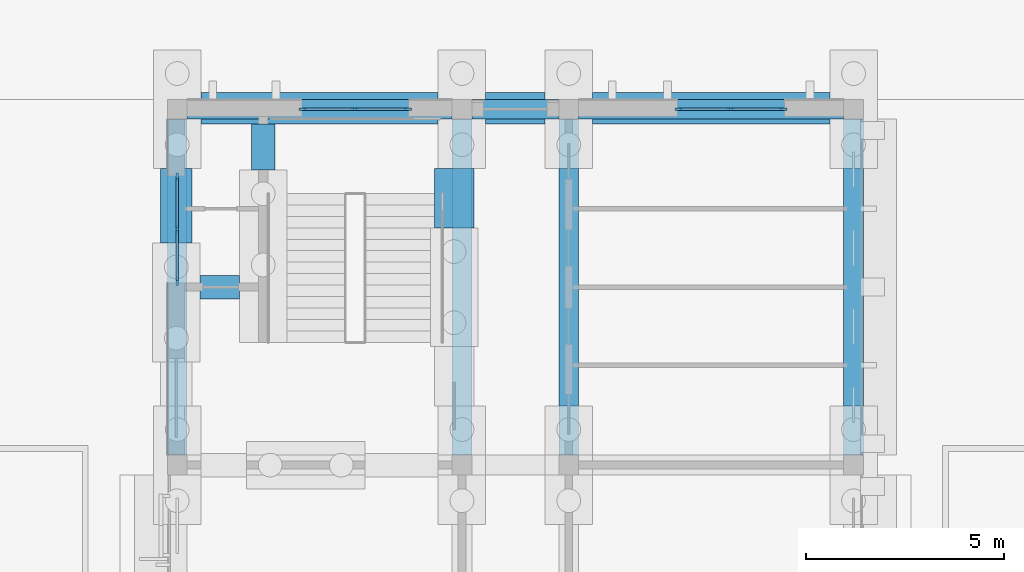
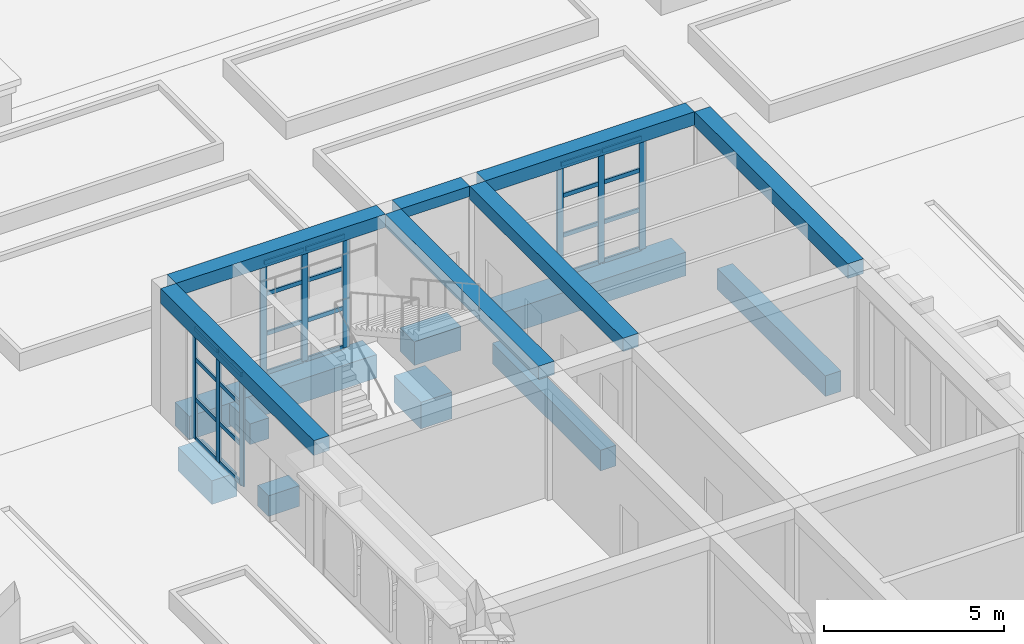
# One storey, part 30 of 161: 33 members, 16 beams, 3 elements without a shape of their own.
"""IFC4 building model written with IfcOpenShell, lengths in metres."""

from ifc_helpers import new_model, si_unit, direction, frame, origin, origin_2d, place, context, subcontext, project, spatial, rectangle, extrude, material, layer, layer_set, material_profile, profile_set, type_object, element, aggregate, save


model = new_model("IFC4")

# Units and contexts
model_context = context("Model", 3, precision=1e-05, world=origin(), true_north=direction((0.0, 1.0)))
body_context = subcontext(model_context, "Body", "Model", "MODEL_VIEW")
ifc_project = project(units=[si_unit("LENGTHUNIT", "METRE"), si_unit("AREAUNIT", "SQUARE_METRE"), si_unit("VOLUMEUNIT", "CUBIC_METRE"), si_unit("PLANEANGLEUNIT", "RADIAN"), si_unit("MASSUNIT", "GRAM", prefix="KILO")], contexts=[model_context])

# Site, building, storey
site_placement = place(None, origin())
site = spatial("IfcSite", under=ifc_project, at=site_placement, CompositionType="ELEMENT")
building_placement = place(site_placement, origin())
building = spatial("IfcBuilding", under=site, at=building_placement, Name="Elbe Cascade School", CompositionType="ELEMENT")
storey_placement = place(building_placement, origin())
storey = spatial("IfcBuildingStorey", under=building, at=storey_placement, Name="L00", CompositionType="ELEMENT", Elevation=0.0)

# Curtain wall, members
ifc_material_1 = material(Name="Aluminium frame with double glazing, bronze anodised", Category="aluminium")
ifc_layer = layer(ifc_material_1, 0.199951171875)
ifc_layer_set = layer_set([ifc_layer], Name="Aluminium frame with double glazing, bronze anodised")
curtain_wall_type = type_object("IfcCurtainWallType", Name="Bars envelope Curtain wall, aluminium, bronze anodised, ground floor tall run", PredefinedType="NOTDEFINED", material=ifc_layer_set)
curtain_wall_1_placement = place(storey_placement, origin())
curtain_wall_1 = element("IfcCurtainWall", 1, at=curtain_wall_1_placement, inside=storey, type_object=curtain_wall_type, Name="Curtain wall CW3 B.L00.w6", PredefinedType="NOTDEFINED")
ifc_material_2 = material(Name="Aluminium mullion, bronze anodised", Category="aluminium")
ifc_material_profile_1 = material_profile(ifc_material_2, rectangle(XDim=0.06005859375, YDim=0.199951171875, at=origin_2d()), Name="Bars envelope Curtain wall mullion 60 x 200, aluminium, ground floor tall run")
ifc_profile_set_1 = profile_set([ifc_material_profile_1], Name="Aluminium mullion, bronze anodised")
member_type_1 = type_object("IfcMemberType", Name="Bars envelope Curtain wall mullion 60 x 200, aluminium, ground floor tall run", PredefinedType="MULLION", material=ifc_profile_set_1)
member_1_placement = place(storey_placement, frame((98.60009765625, 55.639892578125, 0.0), z_axis=(0.0, 0.0, 1.0), x_axis=(-1.0, 0.0, 0.0)))
member_1 = element("IfcMember", 2, at=member_1_placement, type_object=member_type_1, Name="CW3 mullion 1", PredefinedType="MULLION", context=body_context, shape_type="SweptSolid", body=[
    extrude(rectangle(XDim=0.06005859375, YDim=0.199951171875, at=origin_2d()), origin(), (0.0, 0.0, 1.0), 3.75),
])
member_2_placement = place(storey_placement, frame((98.60009765625, 56.9599609375, 0.0), z_axis=(0.0, 0.0, 1.0), x_axis=(-1.0, 0.0, 0.0)))
member_2 = element("IfcMember", 3, at=member_2_placement, type_object=member_type_1, Name="CW3 mullion 2", PredefinedType="MULLION", context=body_context, shape_type="SweptSolid", body=[
    extrude(rectangle(XDim=0.06005859375, YDim=0.199951171875, at=origin_2d()), origin(), (0.0, 0.0, 1.0), 3.75),
])
member_3_placement = place(storey_placement, frame((98.60009765625, 58.280029296875, 0.0), z_axis=(0.0, 0.0, 1.0), x_axis=(-1.0, 0.0, 0.0)))
member_3 = element("IfcMember", 4, at=member_3_placement, type_object=member_type_1, Name="CW3 mullion 3", PredefinedType="MULLION", context=body_context, shape_type="SweptSolid", body=[
    extrude(rectangle(XDim=0.06005859375, YDim=0.199951171875, at=origin_2d()), origin(), (0.0, 0.0, 1.0), 3.75),
])

curtain_wall_2_placement = place(storey_placement, origin())
curtain_wall_2 = element("IfcCurtainWall", 5, at=curtain_wall_2_placement, inside=storey, type_object=curtain_wall_type, Name="Curtain wall CW3 B.L00.n1", PredefinedType="NOTDEFINED")
member_4_placement = place(storey_placement, frame((101.780029296875, 60.0, 0.0), z_axis=(0.0, 0.0, 1.0), x_axis=(0.0, 1.0, 0.0)))
member_4 = element("IfcMember", 6, at=member_4_placement, type_object=member_type_1, Name="CW3 mullion 1", PredefinedType="MULLION", context=body_context, shape_type="SweptSolid", body=[
    extrude(rectangle(XDim=0.06005859375, YDim=0.199951171875, at=origin_2d()), origin(), (0.0, 0.0, 1.0), 3.800048828125),
])
member_5_placement = place(storey_placement, frame((103.10009765625, 60.0, 0.0), z_axis=(0.0, 0.0, 1.0), x_axis=(0.0, 1.0, 0.0)))
member_5 = element("IfcMember", 7, at=member_5_placement, type_object=member_type_1, Name="CW3 mullion 2", PredefinedType="MULLION", context=body_context, shape_type="SweptSolid", body=[
    extrude(rectangle(XDim=0.06005859375, YDim=0.199951171875, at=origin_2d()), origin(), (0.0, 0.0, 1.0), 3.800048828125),
])
member_6_placement = place(storey_placement, frame((104.419921875, 60.0, 0.0), z_axis=(0.0, 0.0, 1.0), x_axis=(0.0, 1.0, 0.0)))
member_6 = element("IfcMember", 8, at=member_6_placement, type_object=member_type_1, Name="CW3 mullion 3", PredefinedType="MULLION", context=body_context, shape_type="SweptSolid", body=[
    extrude(rectangle(XDim=0.06005859375, YDim=0.199951171875, at=origin_2d()), origin(), (0.0, 0.0, 1.0), 3.800048828125),
])

curtain_wall_3_placement = place(storey_placement, origin())
curtain_wall_3 = element("IfcCurtainWall", 9, at=curtain_wall_3_placement, inside=storey, type_object=curtain_wall_type, Name="Curtain wall CW3 B.L00.n3", PredefinedType="NOTDEFINED")
member_7_placement = place(storey_placement, frame((111.280029296875, 60.0, 0.0), z_axis=(0.0, 0.0, 1.0), x_axis=(0.0, 1.0, 0.0)))
member_7 = element("IfcMember", 10, at=member_7_placement, type_object=member_type_1, Name="CW3 mullion 1", PredefinedType="MULLION", context=body_context, shape_type="SweptSolid", body=[
    extrude(rectangle(XDim=0.06005859375, YDim=0.199951171875, at=origin_2d()), origin(), (0.0, 0.0, 1.0), 3.800048828125),
])
member_8_placement = place(storey_placement, frame((112.60009765625, 60.0, 0.0), z_axis=(0.0, 0.0, 1.0), x_axis=(0.0, 1.0, 0.0)))
member_8 = element("IfcMember", 11, at=member_8_placement, type_object=member_type_1, Name="CW3 mullion 2", PredefinedType="MULLION", context=body_context, shape_type="SweptSolid", body=[
    extrude(rectangle(XDim=0.06005859375, YDim=0.199951171875, at=origin_2d()), origin(), (0.0, 0.0, 1.0), 3.800048828125),
])
member_9_placement = place(storey_placement, frame((113.919921875, 60.0, 0.0), z_axis=(0.0, 0.0, 1.0), x_axis=(0.0, 1.0, 0.0)))
member_9 = element("IfcMember", 12, at=member_9_placement, type_object=member_type_1, Name="CW3 mullion 3", PredefinedType="MULLION", context=body_context, shape_type="SweptSolid", body=[
    extrude(rectangle(XDim=0.06005859375, YDim=0.199951171875, at=origin_2d()), origin(), (0.0, 0.0, 1.0), 3.800048828125),
])

# Member
ifc_material_3 = material(Name="Aluminium transom, bronze anodised", Category="aluminium")
ifc_material_profile_2 = material_profile(ifc_material_3, rectangle(XDim=0.06005859375, YDim=0.139892578125, at=origin_2d()), Name="Bars envelope Curtain wall transom 60 x 140, aluminium, ground floor tall run")
ifc_profile_set_2 = profile_set([ifc_material_profile_2], Name="Aluminium transom, bronze anodised")
member_type_2 = type_object("IfcMemberType", Name="Bars envelope Curtain wall transom 60 x 140, aluminium, ground floor tall run", PredefinedType="USERDEFINED", material=ifc_profile_set_2)
member_10_placement = place(storey_placement, frame((98.60009765625, 55.669921875, 0.030029296875), z_axis=(0.0, 1.0, 0.0), x_axis=(-1.0, 0.0, 0.0)))
member_10 = element("IfcMember", 13, at=member_10_placement, type_object=member_type_2, Name="CW3 transom 1.1", ObjectType="TRANSOM", PredefinedType="USERDEFINED", context=body_context, shape_type="SweptSolid", body=[
    extrude(rectangle(XDim=0.06005859375, YDim=0.139892578125, at=origin_2d()), origin(), (0.0, 0.0, 1.0), 1.260009765625),
])

member_11_placement = place(storey_placement, frame((98.60009765625, 55.669921875, 1.35009765625), z_axis=(0.0, 1.0, 0.0), x_axis=(-1.0, 0.0, 0.0)))
member_11 = element("IfcMember", 14, at=member_11_placement, type_object=member_type_2, Name="CW3 transom 1.2", ObjectType="TRANSOM", PredefinedType="USERDEFINED", context=body_context, shape_type="SweptSolid", body=[
    extrude(rectangle(XDim=0.06005859375, YDim=0.139892578125, at=origin_2d()), origin(), (0.0, 0.0, 1.0), 1.260009765625),
])

member_12_placement = place(storey_placement, frame((98.60009765625, 55.669921875, 2.699951171875), z_axis=(0.0, 1.0, 0.0), x_axis=(-1.0, 0.0, 0.0)))
member_12 = element("IfcMember", 15, at=member_12_placement, type_object=member_type_2, Name="CW3 transom 1.3", ObjectType="TRANSOM", PredefinedType="USERDEFINED", context=body_context, shape_type="SweptSolid", body=[
    extrude(rectangle(XDim=0.06005859375, YDim=0.139892578125, at=origin_2d()), origin(), (0.0, 0.0, 1.0), 1.260009765625),
])

member_13_placement = place(storey_placement, frame((98.60009765625, 55.669921875, 3.719970703125), z_axis=(0.0, 1.0, 0.0), x_axis=(-1.0, 0.0, 0.0)))
member_13 = element("IfcMember", 16, at=member_13_placement, type_object=member_type_2, Name="CW3 transom 1.4", ObjectType="TRANSOM", PredefinedType="USERDEFINED", context=body_context, shape_type="SweptSolid", body=[
    extrude(rectangle(XDim=0.06005859375, YDim=0.139892578125, at=origin_2d()), origin(), (0.0, 0.0, 1.0), 1.260009765625),
])

member_14_placement = place(storey_placement, frame((98.60009765625, 56.989990234375, 0.030029296875), z_axis=(0.0, 1.0, 0.0), x_axis=(-1.0, 0.0, 0.0)))
member_14 = element("IfcMember", 17, at=member_14_placement, type_object=member_type_2, Name="CW3 transom 2.1", ObjectType="TRANSOM", PredefinedType="USERDEFINED", context=body_context, shape_type="SweptSolid", body=[
    extrude(rectangle(XDim=0.06005859375, YDim=0.139892578125, at=origin_2d()), origin(), (0.0, 0.0, 1.0), 1.260009765625),
])

member_15_placement = place(storey_placement, frame((98.60009765625, 56.989990234375, 1.35009765625), z_axis=(0.0, 1.0, 0.0), x_axis=(-1.0, 0.0, 0.0)))
member_15 = element("IfcMember", 18, at=member_15_placement, type_object=member_type_2, Name="CW3 transom 2.2", ObjectType="TRANSOM", PredefinedType="USERDEFINED", context=body_context, shape_type="SweptSolid", body=[
    extrude(rectangle(XDim=0.06005859375, YDim=0.139892578125, at=origin_2d()), origin(), (0.0, 0.0, 1.0), 1.260009765625),
])

member_16_placement = place(storey_placement, frame((98.60009765625, 56.989990234375, 2.699951171875), z_axis=(0.0, 1.0, 0.0), x_axis=(-1.0, 0.0, 0.0)))
member_16 = element("IfcMember", 19, at=member_16_placement, type_object=member_type_2, Name="CW3 transom 2.3", ObjectType="TRANSOM", PredefinedType="USERDEFINED", context=body_context, shape_type="SweptSolid", body=[
    extrude(rectangle(XDim=0.06005859375, YDim=0.139892578125, at=origin_2d()), origin(), (0.0, 0.0, 1.0), 1.260009765625),
])

member_17_placement = place(storey_placement, frame((98.60009765625, 56.989990234375, 3.719970703125), z_axis=(0.0, 1.0, 0.0), x_axis=(-1.0, 0.0, 0.0)))
member_17 = element("IfcMember", 20, at=member_17_placement, type_object=member_type_2, Name="CW3 transom 2.4", ObjectType="TRANSOM", PredefinedType="USERDEFINED", context=body_context, shape_type="SweptSolid", body=[
    extrude(rectangle(XDim=0.06005859375, YDim=0.139892578125, at=origin_2d()), origin(), (0.0, 0.0, 1.0), 1.260009765625),
])

aggregate(curtain_wall_1, [member_1, member_2, member_3, member_10, member_11, member_12, member_13, member_14, member_15, member_16, member_17])

member_18_placement = place(storey_placement, frame((101.81005859375, 60.0, 0.030029296875), z_axis=(1.0, 0.0, 0.0), x_axis=(0.0, 1.0, 0.0)))
member_18 = element("IfcMember", 21, at=member_18_placement, type_object=member_type_2, Name="CW3 transom 1.1", ObjectType="TRANSOM", PredefinedType="USERDEFINED", context=body_context, shape_type="SweptSolid", body=[
    extrude(rectangle(XDim=0.06005859375, YDim=0.139892578125, at=origin_2d()), origin(), (0.0, 0.0, 1.0), 1.260009765625),
])

member_19_placement = place(storey_placement, frame((101.81005859375, 60.0, 1.35009765625), z_axis=(1.0, 0.0, 0.0), x_axis=(0.0, 1.0, 0.0)))
member_19 = element("IfcMember", 22, at=member_19_placement, type_object=member_type_2, Name="CW3 transom 1.2", ObjectType="TRANSOM", PredefinedType="USERDEFINED", context=body_context, shape_type="SweptSolid", body=[
    extrude(rectangle(XDim=0.06005859375, YDim=0.139892578125, at=origin_2d()), origin(), (0.0, 0.0, 1.0), 1.260009765625),
])

member_20_placement = place(storey_placement, frame((101.81005859375, 60.0, 2.699951171875), z_axis=(1.0, 0.0, 0.0), x_axis=(0.0, 1.0, 0.0)))
member_20 = element("IfcMember", 23, at=member_20_placement, type_object=member_type_2, Name="CW3 transom 1.3", ObjectType="TRANSOM", PredefinedType="USERDEFINED", context=body_context, shape_type="SweptSolid", body=[
    extrude(rectangle(XDim=0.06005859375, YDim=0.139892578125, at=origin_2d()), origin(), (0.0, 0.0, 1.0), 1.260009765625),
])

member_21_placement = place(storey_placement, frame((101.81005859375, 60.0, 3.77001953125), z_axis=(1.0, 0.0, 0.0), x_axis=(0.0, 1.0, 0.0)))
member_21 = element("IfcMember", 24, at=member_21_placement, type_object=member_type_2, Name="CW3 transom 1.4", ObjectType="TRANSOM", PredefinedType="USERDEFINED", context=body_context, shape_type="SweptSolid", body=[
    extrude(rectangle(XDim=0.06005859375, YDim=0.139892578125, at=origin_2d()), origin(), (0.0, 0.0, 1.0), 1.260009765625),
])

member_22_placement = place(storey_placement, frame((103.1298828125, 60.0, 0.030029296875), z_axis=(1.0, 0.0, 0.0), x_axis=(0.0, 1.0, 0.0)))
member_22 = element("IfcMember", 25, at=member_22_placement, type_object=member_type_2, Name="CW3 transom 2.1", ObjectType="TRANSOM", PredefinedType="USERDEFINED", context=body_context, shape_type="SweptSolid", body=[
    extrude(rectangle(XDim=0.06005859375, YDim=0.139892578125, at=origin_2d()), origin(), (0.0, 0.0, 1.0), 1.260009765625),
])

member_23_placement = place(storey_placement, frame((103.1298828125, 60.0, 1.35009765625), z_axis=(1.0, 0.0, 0.0), x_axis=(0.0, 1.0, 0.0)))
member_23 = element("IfcMember", 26, at=member_23_placement, type_object=member_type_2, Name="CW3 transom 2.2", ObjectType="TRANSOM", PredefinedType="USERDEFINED", context=body_context, shape_type="SweptSolid", body=[
    extrude(rectangle(XDim=0.06005859375, YDim=0.139892578125, at=origin_2d()), origin(), (0.0, 0.0, 1.0), 1.260009765625),
])

member_24_placement = place(storey_placement, frame((103.1298828125, 60.0, 2.699951171875), z_axis=(1.0, 0.0, 0.0), x_axis=(0.0, 1.0, 0.0)))
member_24 = element("IfcMember", 27, at=member_24_placement, type_object=member_type_2, Name="CW3 transom 2.3", ObjectType="TRANSOM", PredefinedType="USERDEFINED", context=body_context, shape_type="SweptSolid", body=[
    extrude(rectangle(XDim=0.06005859375, YDim=0.139892578125, at=origin_2d()), origin(), (0.0, 0.0, 1.0), 1.260009765625),
])

member_25_placement = place(storey_placement, frame((103.1298828125, 60.0, 3.77001953125), z_axis=(1.0, 0.0, 0.0), x_axis=(0.0, 1.0, 0.0)))
member_25 = element("IfcMember", 28, at=member_25_placement, type_object=member_type_2, Name="CW3 transom 2.4", ObjectType="TRANSOM", PredefinedType="USERDEFINED", context=body_context, shape_type="SweptSolid", body=[
    extrude(rectangle(XDim=0.06005859375, YDim=0.139892578125, at=origin_2d()), origin(), (0.0, 0.0, 1.0), 1.260009765625),
])

aggregate(curtain_wall_2, [member_4, member_5, member_6, member_18, member_19, member_20, member_21, member_22, member_23, member_24, member_25])

member_26_placement = place(storey_placement, frame((111.31005859375, 60.0, 0.030029296875), z_axis=(1.0, 0.0, 0.0), x_axis=(0.0, 1.0, 0.0)))
member_26 = element("IfcMember", 29, at=member_26_placement, type_object=member_type_2, Name="CW3 transom 1.1", ObjectType="TRANSOM", PredefinedType="USERDEFINED", context=body_context, shape_type="SweptSolid", body=[
    extrude(rectangle(XDim=0.06005859375, YDim=0.139892578125, at=origin_2d()), origin(), (0.0, 0.0, 1.0), 1.260009765625),
])

member_27_placement = place(storey_placement, frame((111.31005859375, 60.0, 1.35009765625), z_axis=(1.0, 0.0, 0.0), x_axis=(0.0, 1.0, 0.0)))
member_27 = element("IfcMember", 30, at=member_27_placement, type_object=member_type_2, Name="CW3 transom 1.2", ObjectType="TRANSOM", PredefinedType="USERDEFINED", context=body_context, shape_type="SweptSolid", body=[
    extrude(rectangle(XDim=0.06005859375, YDim=0.139892578125, at=origin_2d()), origin(), (0.0, 0.0, 1.0), 1.260009765625),
])

member_28_placement = place(storey_placement, frame((111.31005859375, 60.0, 2.699951171875), z_axis=(1.0, 0.0, 0.0), x_axis=(0.0, 1.0, 0.0)))
member_28 = element("IfcMember", 31, at=member_28_placement, type_object=member_type_2, Name="CW3 transom 1.3", ObjectType="TRANSOM", PredefinedType="USERDEFINED", context=body_context, shape_type="SweptSolid", body=[
    extrude(rectangle(XDim=0.06005859375, YDim=0.139892578125, at=origin_2d()), origin(), (0.0, 0.0, 1.0), 1.260009765625),
])

member_29_placement = place(storey_placement, frame((111.31005859375, 60.0, 3.77001953125), z_axis=(1.0, 0.0, 0.0), x_axis=(0.0, 1.0, 0.0)))
member_29 = element("IfcMember", 32, at=member_29_placement, type_object=member_type_2, Name="CW3 transom 1.4", ObjectType="TRANSOM", PredefinedType="USERDEFINED", context=body_context, shape_type="SweptSolid", body=[
    extrude(rectangle(XDim=0.06005859375, YDim=0.139892578125, at=origin_2d()), origin(), (0.0, 0.0, 1.0), 1.260009765625),
])

member_30_placement = place(storey_placement, frame((112.6298828125, 60.0, 0.030029296875), z_axis=(1.0, 0.0, 0.0), x_axis=(0.0, 1.0, 0.0)))
member_30 = element("IfcMember", 33, at=member_30_placement, type_object=member_type_2, Name="CW3 transom 2.1", ObjectType="TRANSOM", PredefinedType="USERDEFINED", context=body_context, shape_type="SweptSolid", body=[
    extrude(rectangle(XDim=0.06005859375, YDim=0.139892578125, at=origin_2d()), origin(), (0.0, 0.0, 1.0), 1.260009765625),
])

member_31_placement = place(storey_placement, frame((112.6298828125, 60.0, 1.35009765625), z_axis=(1.0, 0.0, 0.0), x_axis=(0.0, 1.0, 0.0)))
member_31 = element("IfcMember", 34, at=member_31_placement, type_object=member_type_2, Name="CW3 transom 2.2", ObjectType="TRANSOM", PredefinedType="USERDEFINED", context=body_context, shape_type="SweptSolid", body=[
    extrude(rectangle(XDim=0.06005859375, YDim=0.139892578125, at=origin_2d()), origin(), (0.0, 0.0, 1.0), 1.260009765625),
])

member_32_placement = place(storey_placement, frame((112.6298828125, 60.0, 2.699951171875), z_axis=(1.0, 0.0, 0.0), x_axis=(0.0, 1.0, 0.0)))
member_32 = element("IfcMember", 35, at=member_32_placement, type_object=member_type_2, Name="CW3 transom 2.3", ObjectType="TRANSOM", PredefinedType="USERDEFINED", context=body_context, shape_type="SweptSolid", body=[
    extrude(rectangle(XDim=0.06005859375, YDim=0.139892578125, at=origin_2d()), origin(), (0.0, 0.0, 1.0), 1.260009765625),
])

member_33_placement = place(storey_placement, frame((112.6298828125, 60.0, 3.77001953125), z_axis=(1.0, 0.0, 0.0), x_axis=(0.0, 1.0, 0.0)))
member_33 = element("IfcMember", 36, at=member_33_placement, type_object=member_type_2, Name="CW3 transom 2.4", ObjectType="TRANSOM", PredefinedType="USERDEFINED", context=body_context, shape_type="SweptSolid", body=[
    extrude(rectangle(XDim=0.06005859375, YDim=0.139892578125, at=origin_2d()), origin(), (0.0, 0.0, 1.0), 1.260009765625),
])

aggregate(curtain_wall_3, [member_7, member_8, member_9, member_26, member_27, member_28, member_29, member_30, member_31, member_32, member_33])

# Beams
ifc_material_4 = material(Name="Concrete C30/37", Category="concrete")
ifc_material_profile_3 = material_profile(ifc_material_4, rectangle(XDim=1.0, YDim=0.89990234375, at=origin_2d()), Name="RC 1000x900")
ifc_profile_set_3 = profile_set([ifc_material_profile_3], Name="Concrete C30/37")
beam_type_1 = type_object("IfcBeamType", Name="Found ground beam RC 1000x900", PredefinedType="BEAM", material=ifc_profile_set_3)
beam_1_placement = place(storey_placement, frame((105.60009765625, 57.0, -0.75), z_axis=(0.0, 1.0, 0.0), x_axis=(-1.0, 0.0, 0.0)))
element("IfcBeam", 37, at=beam_1_placement, inside=storey, type_object=beam_type_1, Name="Ground beam 041", PredefinedType="BEAM", context=body_context, shape_type="SweptSolid", body=[
    extrude(rectangle(XDim=1.0, YDim=0.89990234375, at=origin_2d()), origin(), (0.0, 0.0, 1.0), 1.5),
])
ifc_material_5 = material(Name="Concrete C30/37", Category="concrete")
ifc_material_profile_4 = material_profile(ifc_material_5, rectangle(XDim=0.5, YDim=0.699951171875, at=origin_2d()), Name="RC 500x700")
ifc_profile_set_4 = profile_set([ifc_material_profile_4], Name="Concrete C30/37")
beam_type_2 = type_object("IfcBeamType", Name="Found ground beam RC 500x700", PredefinedType="BEAM", material=ifc_profile_set_4)
for number, where, z_axis, x_axis, name in (
    (38, (108.5, 52.5, -0.64990234375), (0.0, 1.0, 0.0), (-1.0, 0.0, 0.0), "Ground beam 246"),
    (39, (115.699951171875, 52.5, -0.64990234375), (0.0, 1.0, 0.0), (-1.0, 0.0, 0.0), "Ground beam 252"),
):
    element("IfcBeam", number, at=place(storey_placement, frame(where, z_axis=z_axis, x_axis=x_axis)), inside=storey, type_object=beam_type_2, Name=name, PredefinedType="BEAM", context=body_context, shape_type="SweptSolid", body=[
        extrude(rectangle(XDim=0.5, YDim=0.699951171875, at=origin_2d()), origin(), (0.0, 0.0, 1.0), 6.0),
    ])
ifc_material_6 = material(Name="Concrete C30/37", Category="concrete")
ifc_material_profile_5 = material_profile(ifc_material_6, rectangle(XDim=0.60009765625, YDim=0.699951171875, at=origin_2d()), Name="RC 600x700")
ifc_profile_set_5 = profile_set([ifc_material_profile_5], Name="Concrete C30/37")
beam_type_3 = type_object("IfcBeamType", Name="Found ground beam RC 600x700", PredefinedType="BEAM", material=ifc_profile_set_5)
beam_2_placement = place(storey_placement, frame((100.77490234375, 58.4599609375, -0.64990234375), z_axis=(0.0, 1.0, 0.0), x_axis=(-1.0, 0.0, 0.0)))
element("IfcBeam", 40, at=beam_2_placement, inside=storey, type_object=beam_type_3, Name="Ground beam 161", PredefinedType="BEAM", context=body_context, shape_type="SweptSolid", body=[
    extrude(rectangle(XDim=0.60009765625, YDim=0.699951171875, at=origin_2d()), origin(), (0.0, 0.0, 1.0), 1.16015625),
])
beam_3_placement = place(storey_placement, frame((99.179931640625, 55.5, -0.64990234375), z_axis=(1.0, 0.0, 0.0), x_axis=(0.0, 1.0, 0.0)))
element("IfcBeam", 41, at=beam_3_placement, inside=storey, type_object=beam_type_3, Name="Ground beam 175", PredefinedType="BEAM", context=body_context, shape_type="SweptSolid", body=[
    extrude(rectangle(XDim=0.60009765625, YDim=0.699951171875, at=origin_2d()), origin(), (0.0, 0.0, 1.0), 0.9951171875),
])
ifc_material_7 = material(Name="Concrete C30/37", Category="concrete")
ifc_material_profile_6 = material_profile(ifc_material_7, rectangle(XDim=0.800048828125, YDim=0.800048828125, at=origin_2d()), Name="RC 800x800")
ifc_profile_set_6 = profile_set([ifc_material_profile_6], Name="Concrete C30/37")
beam_type_4 = type_object("IfcBeamType", Name="Found ground beam RC 800x800", PredefinedType="BEAM", material=ifc_profile_set_6)
beam_4_placement = place(storey_placement, frame((99.199951171875, 60.02001953125, -0.699951171875), z_axis=(1.0, 0.0, 0.0), x_axis=(0.0, 1.0, 0.0)))
element("IfcBeam", 42, at=beam_4_placement, inside=storey, type_object=beam_type_4, Name="Ground beam 059", PredefinedType="BEAM", context=body_context, shape_type="SweptSolid", body=[
    extrude(rectangle(XDim=0.800048828125, YDim=0.800048828125, at=origin_2d()), origin(), (0.0, 0.0, 1.0), 6.0),
])
beam_5_placement = place(storey_placement, frame((106.39990234375, 60.02001953125, -0.699951171875), z_axis=(1.0, 0.0, 0.0), x_axis=(0.0, 1.0, 0.0)))
element("IfcBeam", 43, at=beam_5_placement, inside=storey, type_object=beam_type_4, Name="Ground beam 060", PredefinedType="BEAM", context=body_context, shape_type="SweptSolid", body=[
    extrude(rectangle(XDim=0.800048828125, YDim=0.800048828125, at=origin_2d()), origin(), (0.0, 0.0, 1.0), 1.5),
])
beam_6_placement = place(storey_placement, frame((109.10009765625, 60.02001953125, -0.699951171875), z_axis=(1.0, 0.0, 0.0), x_axis=(0.0, 1.0, 0.0)))
element("IfcBeam", 44, at=beam_6_placement, inside=storey, type_object=beam_type_4, Name="Ground beam 061", PredefinedType="BEAM", context=body_context, shape_type="SweptSolid", body=[
    extrude(rectangle(XDim=0.800048828125, YDim=0.800048828125, at=origin_2d()), origin(), (0.0, 0.0, 1.0), 6.0),
])
beam_7_placement = place(storey_placement, frame((98.580078125, 56.610107421875, -0.699951171875), z_axis=(0.0, 1.0, 0.0), x_axis=(-1.0, 0.0, 0.0)))
element("IfcBeam", 45, at=beam_7_placement, inside=storey, type_object=beam_type_4, Name="Ground beam 083", PredefinedType="BEAM", context=body_context, shape_type="SweptSolid", body=[
    extrude(rectangle(XDim=0.800048828125, YDim=0.800048828125, at=origin_2d()), origin(), (0.0, 0.0, 1.0), 1.889892578125),
])
ifc_material_8 = material(Name="Concrete C30/37", Category="concrete")
ifc_material_profile_7 = material_profile(ifc_material_8, rectangle(XDim=0.5, YDim=0.35009765625, at=origin_2d()), Name="RC 500x350")
ifc_profile_set_7 = profile_set([ifc_material_profile_7], Name="Concrete C30/37")
beam_type_5 = type_object("IfcBeamType", Name="RC 500x350 beam", PredefinedType="BEAM", material=ifc_profile_set_7)
beam_8_placement = place(storey_placement, frame((106.050048828125, 60.0, 4.074951171875), z_axis=(1.0, 0.0, 0.0), x_axis=(0.0, 1.0, 0.0)))
element("IfcBeam", 46, at=beam_8_placement, inside=storey, type_object=beam_type_5, Name="RC 500x350 beam B8", PredefinedType="BEAM", context=body_context, shape_type="SweptSolid", body=[
    extrude(rectangle(XDim=0.5, YDim=0.35009765625, at=origin_2d()), origin(), (0.0, 0.0, 1.0), 2.199951171875),
])
ifc_material_9 = material(Name="Concrete C30/37", Category="concrete")
ifc_material_profile_8 = material_profile(ifc_material_9, rectangle(XDim=0.5, YDim=0.449951171875, at=origin_2d()), Name="RC 500x450")
ifc_profile_set_8 = profile_set([ifc_material_profile_8], Name="Concrete C30/37")
beam_type_6 = type_object("IfcBeamType", Name="RC 500x450 beam", PredefinedType="BEAM", material=ifc_profile_set_8)
for number, where, z_axis, x_axis, name in (
    (47, (105.800048828125, 51.25, 4.02490234375), (0.0, 1.0, 0.0), (-1.0, 0.0, 0.0), "RC 500x450 beam B7"),
    (48, (108.5, 51.25, 4.02490234375), (0.0, 1.0, 0.0), (-1.0, 0.0, 0.0), "RC 500x450 beam B7"),
):
    element("IfcBeam", number, at=place(storey_placement, frame(where, z_axis=z_axis, x_axis=x_axis)), inside=storey, type_object=beam_type_6, Name=name, PredefinedType="BEAM", context=body_context, shape_type="SweptSolid", body=[
        extrude(rectangle(XDim=0.5, YDim=0.449951171875, at=origin_2d()), origin(), (0.0, 0.0, 1.0), 8.5),
    ])
for number, where, z_axis, x_axis, name in (
    (49, (98.85009765625, 60.0, 4.02490234375), (1.0, 0.0, 0.0), (0.0, 1.0, 0.0), "RC 500x450 beam B7"),
    (50, (108.75, 60.0, 4.02490234375), (1.0, 0.0, 0.0), (0.0, 1.0, 0.0), "RC 500x450 beam B7"),
):
    element("IfcBeam", number, at=place(storey_placement, frame(where, z_axis=z_axis, x_axis=x_axis)), inside=storey, type_object=beam_type_6, Name=name, PredefinedType="BEAM", context=body_context, shape_type="SweptSolid", body=[
        extrude(rectangle(XDim=0.5, YDim=0.449951171875, at=origin_2d()), origin(), (0.0, 0.0, 1.0), 6.699951171875),
    ])
ifc_material_10 = material(Name="Concrete C30/37", Category="concrete")
ifc_material_profile_9 = material_profile(ifc_material_10, rectangle(XDim=0.5, YDim=0.5, at=origin_2d()), Name="RC 500x500")
ifc_profile_set_9 = profile_set([ifc_material_profile_9], Name="Concrete C30/37")
beam_type_7 = type_object("IfcBeamType", Name="RC 500x500 beam", PredefinedType="BEAM", material=ifc_profile_set_9)
for number, where, z_axis, x_axis, name in (
    (51, (98.60009765625, 51.25, 4.0), (0.0, 1.0, 0.0), (-1.0, 0.0, 0.0), "RC 500x500 beam B6"),
    (52, (115.699951171875, 51.25, 4.0), (0.0, 1.0, 0.0), (-1.0, 0.0, 0.0), "RC 500x500 beam B6"),
):
    element("IfcBeam", number, at=place(storey_placement, frame(where, z_axis=z_axis, x_axis=x_axis)), inside=storey, type_object=beam_type_7, Name=name, PredefinedType="BEAM", context=body_context, shape_type="SweptSolid", body=[
        extrude(rectangle(XDim=0.5, YDim=0.5, at=origin_2d()), origin(), (0.0, 0.0, 1.0), 8.5),
    ])

save(model, "model.ifc")
